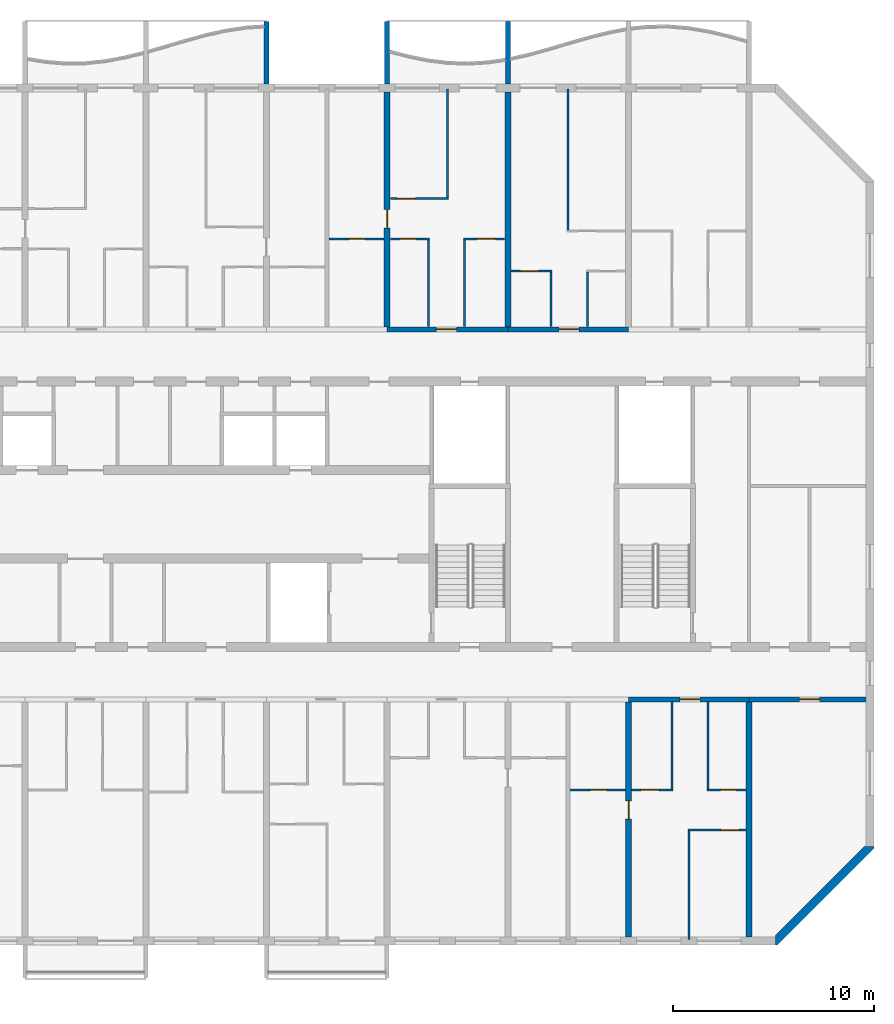
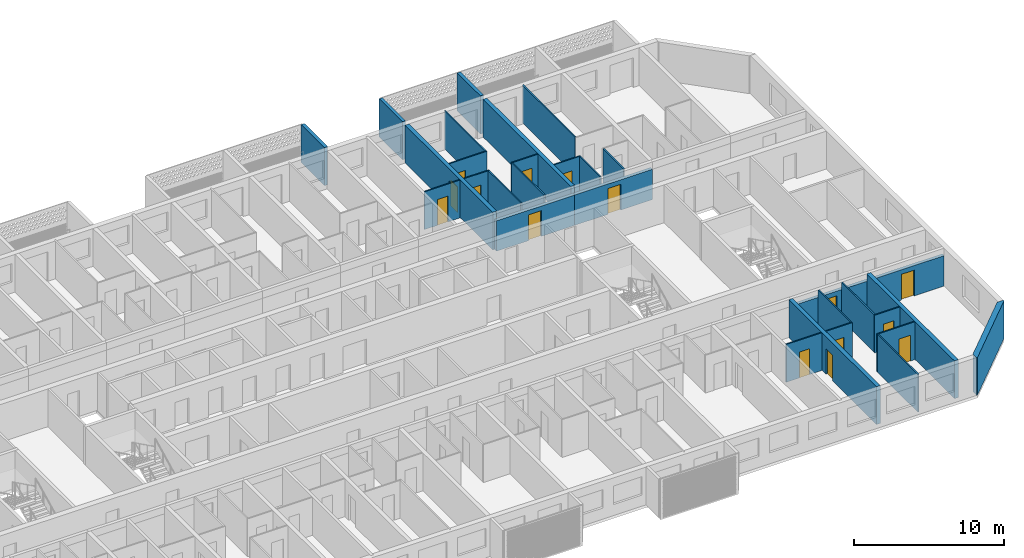
# One storey, part 11 of 31: 30 walls, 15 doors, 15 openings.
"""IFC4 building model written with IfcOpenShell, lengths in metres."""

from ifc_helpers import new_model, si_unit, direction, frame, frame_2d, origin, place, context, subcontext, project, spatial, polyline, rectangle, outline, extrude, source, transform, mapped, material, layer, layer_set, type_object, element, fill, save


model = new_model("IFC4")

# Units and contexts
model_context = context("Model", 3, precision=1e-05, world=origin(), true_north=direction((0.0, 1.0)))
body_context = subcontext(model_context, "Body", "Model", "MODEL_VIEW")
ifc_project = project(units=[si_unit("LENGTHUNIT", "METRE"), si_unit("AREAUNIT", "SQUARE_METRE"), si_unit("VOLUMEUNIT", "CUBIC_METRE"), si_unit("PLANEANGLEUNIT", "RADIAN"), si_unit("MASSUNIT", "GRAM", prefix="KILO")], contexts=[model_context])

# Site, building, storey
site_placement = place(None, origin())
site = spatial("IfcSite", under=ifc_project, at=site_placement, CompositionType="ELEMENT")
building_placement = place(site_placement, origin())
building = spatial("IfcBuilding", under=site, at=building_placement, Name="Poui Terraces", CompositionType="ELEMENT")
storey_placement = place(building_placement, frame((0.0, 0.0, 142.199951171875)))
storey = spatial("IfcBuildingStorey", under=building, at=storey_placement, Name="L39", CompositionType="ELEMENT", Elevation=142.199951171875)

# Wall, opening, door
ifc_material_1 = material(Name="Concrete 65 MPa", Category="concrete")
ifc_layer_1 = layer(ifc_material_1, 0.25)
ifc_layer_set_1 = layer_set([ifc_layer_1], Name="Concrete 65 MPa")
wall_type_1 = type_object("IfcWallType", Name="CORRIDOR WALL 250 65MPa", PredefinedType="SHEAR", material=ifc_layer_set_1)
wall_1_placement = place(storey_placement, frame((78.0, 12.0, 0.0), z_axis=(0.0, 0.0, 1.0), x_axis=(1.0, 0.0, 0.0)))
wall_1 = element("IfcWall", 1, at=wall_1_placement, inside=storey, type_object=wall_type_1, Name="CORRIDOR WALL LINE B BAY 12", PredefinedType="SHEAR", context=body_context, shape_type="SweptSolid", body=[
    extrude(rectangle(XDim=6.0, YDim=0.25, at=frame_2d((3.0, 0.0))), origin(), (0.0, 0.0, 1.0), 2.469970703125),
])
opening_1_placement = place(wall_1_placement, frame((2.550048828125, 0.0, 0.0)))
opening_1 = element("IfcOpeningElement", 2, at=opening_1_placement, cuts=wall_1, Name="Opening FD30S", PredefinedType="OPENING", context=body_context, shape_type="SweptSolid", body=[
    extrude(rectangle(XDim=1.0, YDim=2.10009765625, at=frame_2d((0.5, 1.050048828125))), frame((0.0, 0.135009765625, 0.0), z_axis=(0.0, -1.0, 0.0), x_axis=(1.0, 0.0, 0.0)), (0.0, 0.0, 1.0), 0.27001953125),
])
ifc_material_2 = material(Name="Steel fire door", Category="steel")
door_type_1 = type_object("IfcDoorType", Name="FLAT ENTRANCE DOOR 1000 X 2100", OperationType="NOTDEFINED", PredefinedType="DOOR", material=ifc_material_2)
door_1_placement = place(opening_1_placement, frame((1.0, 0.0, 0.0), z_axis=(0.0, 0.0, 1.0), x_axis=(-1.0, 0.0, 0.0)))
door_1 = element("IfcDoor", 3, at=door_1_placement, inside=storey, type_object=door_type_1, Name="FLAT ENTRANCE DOOR 116", OperationType="SINGLE_SWING_LEFT", OverallHeight=2.10009765625, OverallWidth=1.0, PredefinedType="DOOR", context=body_context, shape_type="SweptSolid", body=[
    extrude(rectangle(XDim=1.0, YDim=2.10009765625, at=frame_2d((0.5, 1.050048828125))), frame((0.0, 0.02490234375, 0.0), z_axis=(0.0, -1.0, 0.0), x_axis=(1.0, 0.0, 0.0)), (0.0, 0.0, 1.0), 0.050048828125),
])
fill(opening_1, door_1)

wall_2_placement = place(storey_placement, frame((84.0, 12.0, 0.0), z_axis=(0.0, 0.0, 1.0), x_axis=(1.0, 0.0, 0.0)))
wall_2 = element("IfcWall", 4, at=wall_2_placement, inside=storey, type_object=wall_type_1, Name="CORRIDOR WALL LINE B BAY 13", PredefinedType="SHEAR", context=body_context, shape_type="SweptSolid", body=[
    extrude(rectangle(XDim=5.800048828125, YDim=0.25, at=frame_2d((2.89990234375, 0.0))), origin(), (0.0, 0.0, 1.0), 2.469970703125),
])
opening_2_placement = place(wall_2_placement, frame((2.5, 0.0, 0.0)))
opening_2 = element("IfcOpeningElement", 5, at=opening_2_placement, cuts=wall_2, Name="Opening D100", PredefinedType="OPENING", context=body_context, shape_type="SweptSolid", body=[
    extrude(rectangle(XDim=1.0, YDim=2.10009765625, at=frame_2d((0.5, 1.050048828125))), frame((0.0, 0.135009765625, 0.0), z_axis=(0.0, -1.0, 0.0), x_axis=(1.0, 0.0, 0.0)), (0.0, 0.0, 1.0), 0.27001953125),
])
ifc_material_3 = material(Name="Solid core timber door", Category="wood")
door_type_2 = type_object("IfcDoorType", Name="ACCESSIBLE INTERNAL DOOR 1000 X 2100", OperationType="NOTDEFINED", PredefinedType="DOOR", material=ifc_material_3)
door_2_placement = place(opening_2_placement, frame((1.0, 0.0, 0.0), z_axis=(0.0, 0.0, 1.0), x_axis=(-1.0, 0.0, 0.0)))
door_2 = element("IfcDoor", 6, at=door_2_placement, inside=storey, type_object=door_type_2, Name="ACCESSIBLE INTERNAL DOOR 119", OperationType="SINGLE_SWING_RIGHT", OverallHeight=2.10009765625, OverallWidth=1.0, PredefinedType="DOOR", context=body_context, shape_type="SweptSolid", body=[
    extrude(rectangle(XDim=1.0, YDim=2.10009765625, at=frame_2d((0.5, 1.050048828125))), frame((0.0, 0.02490234375, 0.0), z_axis=(0.0, -1.0, 0.0), x_axis=(1.0, 0.0, 0.0)), (0.0, 0.0, 1.0), 0.050048828125),
])
fill(opening_2, door_2)

wall_3_placement = place(storey_placement, frame((66.0, 30.39990234375, 0.0), z_axis=(0.0, 0.0, 1.0), x_axis=(1.0, 0.0, 0.0)))
wall_3 = element("IfcWall", 7, at=wall_3_placement, inside=storey, type_object=wall_type_1, Name="CORRIDOR WALL LINE E BAY 10", PredefinedType="SHEAR", context=body_context, shape_type="SweptSolid", body=[
    extrude(rectangle(XDim=6.0, YDim=0.25, at=frame_2d((3.0, 0.0))), origin(), (0.0, 0.0, 1.0), 2.469970703125),
])
opening_3_placement = place(wall_3_placement, frame((2.449951171875, 0.0, 0.0)))
opening_3 = element("IfcOpeningElement", 8, at=opening_3_placement, cuts=wall_3, Name="Opening FD30S", PredefinedType="OPENING", context=body_context, shape_type="SweptSolid", body=[
    extrude(rectangle(XDim=1.0, YDim=2.10009765625, at=frame_2d((0.5, 1.050048828125))), frame((0.0, 0.135009765625, 0.0), z_axis=(0.0, -1.0, 0.0), x_axis=(1.0, 0.0, 0.0)), (0.0, 0.0, 1.0), 0.27001953125),
])
door_3_placement = place(opening_3_placement, origin())
door_3 = element("IfcDoor", 9, at=door_3_placement, inside=storey, type_object=door_type_1, Name="FLAT ENTRANCE DOOR 067", OperationType="SINGLE_SWING_LEFT", OverallHeight=2.10009765625, OverallWidth=1.0, PredefinedType="DOOR", context=body_context, shape_type="SweptSolid", body=[
    extrude(rectangle(XDim=1.0, YDim=2.10009765625, at=frame_2d((0.5, 1.050048828125))), frame((0.0, 0.02490234375, 0.0), z_axis=(0.0, -1.0, 0.0), x_axis=(1.0, 0.0, 0.0)), (0.0, 0.0, 1.0), 0.050048828125),
])
fill(opening_3, door_3)

wall_4_placement = place(storey_placement, frame((72.0, 30.39990234375, 0.0), z_axis=(0.0, 0.0, 1.0), x_axis=(1.0, 0.0, 0.0)))
wall_4 = element("IfcWall", 10, at=wall_4_placement, inside=storey, type_object=wall_type_1, Name="CORRIDOR WALL LINE E BAY 11", PredefinedType="SHEAR", context=body_context, shape_type="SweptSolid", body=[
    extrude(rectangle(XDim=6.0, YDim=0.25, at=frame_2d((3.0, 0.0))), origin(), (0.0, 0.0, 1.0), 2.469970703125),
])
opening_4_placement = place(wall_4_placement, frame((2.550048828125, 0.0, 0.0)))
opening_4 = element("IfcOpeningElement", 11, at=opening_4_placement, cuts=wall_4, Name="Opening FD30S", PredefinedType="OPENING", context=body_context, shape_type="SweptSolid", body=[
    extrude(rectangle(XDim=1.0, YDim=2.10009765625, at=frame_2d((0.5, 1.050048828125))), frame((0.0, 0.135009765625, 0.0), z_axis=(0.0, -1.0, 0.0), x_axis=(1.0, 0.0, 0.0)), (0.0, 0.0, 1.0), 0.27001953125),
])
door_4_placement = place(opening_4_placement, origin())
door_4 = element("IfcDoor", 12, at=door_4_placement, inside=storey, type_object=door_type_1, Name="FLAT ENTRANCE DOOR 070", OperationType="SINGLE_SWING_RIGHT", OverallHeight=2.10009765625, OverallWidth=1.0, PredefinedType="DOOR", context=body_context, shape_type="SweptSolid", body=[
    extrude(rectangle(XDim=1.0, YDim=2.10009765625, at=frame_2d((0.5, 1.050048828125))), frame((0.0, 0.02490234375, 0.0), z_axis=(0.0, -1.0, 0.0), x_axis=(1.0, 0.0, 0.0)), (0.0, 0.0, 1.0), 0.050048828125),
])
fill(opening_4, door_4)

ifc_layer_2 = layer(ifc_material_1, 0.300048828125)
ifc_layer_set_2 = layer_set([ifc_layer_2], Name="Concrete 65 MPa")
wall_type_2 = type_object("IfcWallType", Name="CROSS WALL 300 65MPa", PredefinedType="SHEAR", material=ifc_layer_set_2)
wall_5_placement = place(storey_placement, frame((66.0, 30.52490234375, 0.0), z_axis=(0.0, 0.0, 1.0), x_axis=(0.0, 1.0, 0.0)))
wall_5 = element("IfcWall", 13, at=wall_5_placement, inside=storey, type_object=wall_type_2, Name="CROSS WALL LINE 12 NORTH", PredefinedType="SHEAR", context=body_context, shape_type="SweptSolid", body=[
    extrude(rectangle(XDim=11.675048828125, YDim=0.300048828125, at=frame_2d((5.83740234375, 0.0))), origin(), (0.0, 0.0, 1.0), 3.070068359375),
])
opening_5_placement = place(wall_5_placement, frame((4.925048828125, 0.0, 0.0)))
opening_5 = element("IfcOpeningElement", 14, at=opening_5_placement, cuts=wall_5, Name="Opening D90", PredefinedType="OPENING", context=body_context, shape_type="SweptSolid", body=[
    extrude(rectangle(XDim=0.89990234375, YDim=2.10009765625, at=frame_2d((0.449951171875, 1.050048828125))), frame((0.0, 0.16015625, 0.0), z_axis=(0.0, -1.0, 0.0), x_axis=(1.0, 0.0, 0.0)), (0.0, 0.0, 1.0), 0.320068359375),
])
door_type_3 = type_object("IfcDoorType", Name="INTERNAL DOOR 900 X 2100", OperationType="NOTDEFINED", PredefinedType="DOOR", material=ifc_material_3)
door_5_placement = place(opening_5_placement, origin())
door_5 = element("IfcDoor", 15, at=door_5_placement, inside=storey, type_object=door_type_3, Name="INTERNAL DOOR 064", OperationType="SINGLE_SWING_LEFT", OverallHeight=2.10009765625, OverallWidth=0.89990234375, PredefinedType="DOOR", context=body_context, shape_type="SweptSolid", body=[
    extrude(rectangle(XDim=0.89990234375, YDim=2.10009765625, at=frame_2d((0.449951171875, 1.050048828125))), frame((0.0, 0.02490234375, 0.0), z_axis=(0.0, -1.0, 0.0), x_axis=(1.0, 0.0, 0.0)), (0.0, 0.0, 1.0), 0.050048828125),
])
fill(opening_5, door_5)

# Wall
wall_6_placement = place(storey_placement, frame((72.0, 30.52490234375, 0.0), z_axis=(0.0, 0.0, 1.0), x_axis=(0.0, 1.0, 0.0)))
element("IfcWall", 16, at=wall_6_placement, inside=storey, type_object=wall_type_2, Name="CROSS WALL LINE 13 NORTH", PredefinedType="SHEAR", context=body_context, shape_type="SweptSolid", body=[
    extrude(rectangle(XDim=11.675048828125, YDim=0.300048828125, at=frame_2d((5.83740234375, 0.0))), origin(), (0.0, 0.0, 1.0), 3.070068359375),
])

# Wall, opening, door
wall_7_placement = place(storey_placement, frame((78.0, 0.199951171875, 0.0), z_axis=(0.0, 0.0, 1.0), x_axis=(0.0, 1.0, 0.0)))
wall_7 = element("IfcWall", 17, at=wall_7_placement, inside=storey, type_object=wall_type_2, Name="CROSS WALL LINE 14 SOUTH", PredefinedType="SHEAR", context=body_context, shape_type="SweptSolid", body=[
    extrude(rectangle(XDim=11.675048828125, YDim=0.300048828125, at=frame_2d((5.83740234375, 0.0))), origin(), (0.0, 0.0, 1.0), 3.070068359375),
])
opening_6_placement = place(wall_7_placement, frame((5.85009765625, 0.0, 0.0)))
opening_6 = element("IfcOpeningElement", 18, at=opening_6_placement, cuts=wall_7, Name="Opening D90", PredefinedType="OPENING", context=body_context, shape_type="SweptSolid", body=[
    extrude(rectangle(XDim=0.89990234375, YDim=2.10009765625, at=frame_2d((0.449951171875, 1.050048828125))), frame((0.0, 0.16015625, 0.0), z_axis=(0.0, -1.0, 0.0), x_axis=(1.0, 0.0, 0.0)), (0.0, 0.0, 1.0), 0.320068359375),
])
door_6_placement = place(opening_6_placement, origin())
door_6 = element("IfcDoor", 19, at=door_6_placement, inside=storey, type_object=door_type_3, Name="INTERNAL DOOR 114", OperationType="SINGLE_SWING_RIGHT", OverallHeight=2.10009765625, OverallWidth=0.89990234375, PredefinedType="DOOR", context=body_context, shape_type="SweptSolid", body=[
    extrude(rectangle(XDim=0.89990234375, YDim=2.10009765625, at=frame_2d((0.449951171875, 1.050048828125))), frame((0.0, 0.02490234375, 0.0), z_axis=(0.0, -1.0, 0.0), x_axis=(1.0, 0.0, 0.0)), (0.0, 0.0, 1.0), 0.050048828125),
])
fill(opening_6, door_6)

# Wall
wall_8_placement = place(storey_placement, frame((84.0, 0.199951171875, 0.0), z_axis=(0.0, 0.0, 1.0), x_axis=(0.0, 1.0, 0.0)))
element("IfcWall", 20, at=wall_8_placement, inside=storey, type_object=wall_type_2, Name="CROSS WALL LINE 15 SOUTH", PredefinedType="SHEAR", context=body_context, shape_type="SweptSolid", body=[
    extrude(rectangle(XDim=11.675048828125, YDim=0.300048828125, at=frame_2d((5.83740234375, 0.0))), origin(), (0.0, 0.0, 1.0), 3.070068359375),
])

# Wall, opening, door
ifc_material_4 = material(Name="Plasterboard partition")
ifc_layer_3 = layer(ifc_material_4, 0.10009765625)
ifc_layer_set_3 = layer_set([ifc_layer_3], Name="Plasterboard partition")
wall_type_3 = type_object("IfcWallType", Name="FLAT PARTITION 100", PredefinedType="PARTITIONING", material=ifc_layer_set_3)
wall_9_placement = place(storey_placement, frame((80.949951171875, 5.5, 0.0), z_axis=(0.0, 0.0, 1.0), x_axis=(1.0, 0.0, 0.0)))
wall_9 = element("IfcWall", 21, at=wall_9_placement, inside=storey, type_object=wall_type_3, Name="FLAT PARTITION 100", PredefinedType="PARTITIONING", context=body_context, shape_type="SweptSolid", body=[
    extrude(rectangle(XDim=2.89013671875, YDim=0.10009765625, at=frame_2d((1.445068359375, 0.0))), origin(), (0.0, 0.0, 1.0), 3.070068359375),
])
opening_7_placement = place(wall_9_placement, frame((1.64990234375, 0.0, 0.0)))
opening_7 = element("IfcOpeningElement", 22, at=opening_7_placement, cuts=wall_9, Name="Opening D90", PredefinedType="OPENING", context=body_context, shape_type="SweptSolid", body=[
    extrude(rectangle(XDim=0.89990234375, YDim=2.10009765625, at=frame_2d((0.449951171875, 1.050048828125))), frame((0.0, 0.06005859375, 0.0), z_axis=(0.0, -1.0, 0.0), x_axis=(1.0, 0.0, 0.0)), (0.0, 0.0, 1.0), 0.1201171875),
])
door_7_placement = place(opening_7_placement, frame((0.89990234375, 0.0, 0.0), z_axis=(0.0, 0.0, 1.0), x_axis=(-1.0, 0.0, 0.0)))
door_7 = element("IfcDoor", 23, at=door_7_placement, inside=storey, type_object=door_type_3, Name="INTERNAL DOOR 118", OperationType="SINGLE_SWING_LEFT", OverallHeight=2.10009765625, OverallWidth=0.89990234375, PredefinedType="DOOR", context=body_context, shape_type="SweptSolid", body=[
    extrude(rectangle(XDim=0.89990234375, YDim=2.10009765625, at=frame_2d((0.449951171875, 1.050048828125))), frame((0.0, 0.02490234375, 0.0), z_axis=(0.0, -1.0, 0.0), x_axis=(1.0, 0.0, 0.0)), (0.0, 0.0, 1.0), 0.050048828125),
])
fill(opening_7, door_7)

wall_10_placement = place(storey_placement, frame((75.10009765625, 7.5, 0.0), z_axis=(0.0, 0.0, 1.0), x_axis=(1.0, 0.0, 0.0)))
wall_10 = element("IfcWall", 24, at=wall_10_placement, inside=storey, type_object=wall_type_3, Name="FLAT PARTITION 100", PredefinedType="PARTITIONING", context=body_context, shape_type="SweptSolid", body=[
    extrude(rectangle(XDim=2.739990234375, YDim=0.10009765625, at=frame_2d((1.3701171875, 0.0))), origin(), (0.0, 0.0, 1.0), 3.070068359375),
])
opening_8_placement = place(wall_10_placement, frame((1.0, 0.0, 0.0)))
opening_8 = element("IfcOpeningElement", 25, at=opening_8_placement, cuts=wall_10, Name="Opening D80", PredefinedType="OPENING", context=body_context, shape_type="SweptSolid", body=[
    extrude(rectangle(XDim=0.800048828125, YDim=2.10009765625, at=frame_2d((0.39990234375, 1.050048828125))), frame((0.0, 0.06005859375, 0.0), z_axis=(0.0, -1.0, 0.0), x_axis=(1.0, 0.0, 0.0)), (0.0, 0.0, 1.0), 0.1201171875),
])
door_type_4 = type_object("IfcDoorType", Name="BATHROOM, LAUNDRY AND STORE DOOR 800 X 2100", OperationType="NOTDEFINED", PredefinedType="DOOR", material=ifc_material_3)
door_8_placement = place(opening_8_placement, origin())
door_8 = element("IfcDoor", 26, at=door_8_placement, inside=storey, type_object=door_type_4, Name="BATHROOM, LAUNDRY AND STORE DOOR 113", OperationType="SINGLE_SWING_LEFT", OverallHeight=2.10009765625, OverallWidth=0.800048828125, PredefinedType="DOOR", context=body_context, shape_type="SweptSolid", body=[
    extrude(rectangle(XDim=0.800048828125, YDim=2.10009765625, at=frame_2d((0.39990234375, 1.050048828125))), frame((0.0, 0.02490234375, 0.0), z_axis=(0.0, -1.0, 0.0), x_axis=(1.0, 0.0, 0.0)), (0.0, 0.0, 1.0), 0.050048828125),
])
fill(opening_8, door_8)

wall_11_placement = place(storey_placement, frame((78.159912109375, 7.5, 0.0), z_axis=(0.0, 0.0, 1.0), x_axis=(1.0, 0.0, 0.0)))
wall_11 = element("IfcWall", 27, at=wall_11_placement, inside=storey, type_object=wall_type_3, Name="FLAT PARTITION 100", PredefinedType="PARTITIONING", context=body_context, shape_type="SweptSolid", body=[
    extrude(rectangle(XDim=2.0400390625, YDim=0.10009765625, at=frame_2d((1.02001953125, 0.0))), origin(), (0.0, 0.0, 1.0), 3.070068359375),
])
opening_9_placement = place(wall_11_placement, frame((0.465087890625, 0.0, 0.0)))
opening_9 = element("IfcOpeningElement", 28, at=opening_9_placement, cuts=wall_11, Name="Opening D90", PredefinedType="OPENING", context=body_context, shape_type="SweptSolid", body=[
    extrude(rectangle(XDim=0.89990234375, YDim=2.10009765625, at=frame_2d((0.449951171875, 1.050048828125))), frame((0.0, 0.06005859375, 0.0), z_axis=(0.0, -1.0, 0.0), x_axis=(1.0, 0.0, 0.0)), (0.0, 0.0, 1.0), 0.1201171875),
])
door_9_placement = place(opening_9_placement, origin())
door_9 = element("IfcDoor", 29, at=door_9_placement, inside=storey, type_object=door_type_3, Name="INTERNAL DOOR 115", OperationType="SINGLE_SWING_LEFT", OverallHeight=2.10009765625, OverallWidth=0.89990234375, PredefinedType="DOOR", context=body_context, shape_type="SweptSolid", body=[
    extrude(rectangle(XDim=0.89990234375, YDim=2.10009765625, at=frame_2d((0.449951171875, 1.050048828125))), frame((0.0, 0.02490234375, 0.0), z_axis=(0.0, -1.0, 0.0), x_axis=(1.0, 0.0, 0.0)), (0.0, 0.0, 1.0), 0.050048828125),
])
fill(opening_9, door_9)

wall_12_placement = place(storey_placement, frame((81.89990234375, 7.5, 0.0), z_axis=(0.0, 0.0, 1.0), x_axis=(1.0, 0.0, 0.0)))
wall_12 = element("IfcWall", 30, at=wall_12_placement, inside=storey, type_object=wall_type_3, Name="FLAT PARTITION 100", PredefinedType="PARTITIONING", context=body_context, shape_type="SweptSolid", body=[
    extrude(rectangle(XDim=1.940185546875, YDim=0.10009765625, at=frame_2d((0.97021484375, 0.0))), origin(), (0.0, 0.0, 1.0), 3.070068359375),
])
opening_10_placement = place(wall_12_placement, frame((0.675048828125, 0.0, 0.0)))
opening_10 = element("IfcOpeningElement", 31, at=opening_10_placement, cuts=wall_12, Name="Opening D80", PredefinedType="OPENING", context=body_context, shape_type="SweptSolid", body=[
    extrude(rectangle(XDim=0.800048828125, YDim=2.10009765625, at=frame_2d((0.39990234375, 1.050048828125))), frame((0.0, 0.06005859375, 0.0), z_axis=(0.0, -1.0, 0.0), x_axis=(1.0, 0.0, 0.0)), (0.0, 0.0, 1.0), 0.1201171875),
])
door_10_placement = place(opening_10_placement, origin())
door_10 = element("IfcDoor", 32, at=door_10_placement, inside=storey, type_object=door_type_4, Name="BATHROOM, LAUNDRY AND STORE DOOR 117", OperationType="SINGLE_SWING_RIGHT", OverallHeight=2.10009765625, OverallWidth=0.800048828125, PredefinedType="DOOR", context=body_context, shape_type="SweptSolid", body=[
    extrude(rectangle(XDim=0.800048828125, YDim=2.10009765625, at=frame_2d((0.39990234375, 1.050048828125))), frame((0.0, 0.02490234375, 0.0), z_axis=(0.0, -1.0, 0.0), x_axis=(1.0, 0.0, 0.0)), (0.0, 0.0, 1.0), 0.050048828125),
])
fill(opening_10, door_10)

wall_13_placement = place(storey_placement, frame((72.159912109375, 33.300048828125, 0.0), z_axis=(0.0, 0.0, 1.0), x_axis=(1.0, 0.0, 0.0)))
wall_13 = element("IfcWall", 33, at=wall_13_placement, inside=storey, type_object=wall_type_3, Name="FLAT PARTITION 100", PredefinedType="PARTITIONING", context=body_context, shape_type="SweptSolid", body=[
    extrude(rectangle(XDim=2.0400390625, YDim=0.10009765625, at=frame_2d((1.02001953125, 0.0))), origin(), (0.0, 0.0, 1.0), 3.070068359375),
])
opening_11_placement = place(wall_13_placement, frame((0.465087890625, 0.0, 0.0)))
opening_11 = element("IfcOpeningElement", 34, at=opening_11_placement, cuts=wall_13, Name="Opening D90", PredefinedType="OPENING", context=body_context, shape_type="SweptSolid", body=[
    extrude(rectangle(XDim=0.89990234375, YDim=2.10009765625, at=frame_2d((0.449951171875, 1.050048828125))), frame((0.0, 0.06005859375, 0.0), z_axis=(0.0, -1.0, 0.0), x_axis=(1.0, 0.0, 0.0)), (0.0, 0.0, 1.0), 0.1201171875),
])
door_11_placement = place(opening_11_placement, frame((0.89990234375, 0.0, 0.0), z_axis=(0.0, 0.0, 1.0), x_axis=(-1.0, 0.0, 0.0)))
door_11 = element("IfcDoor", 35, at=door_11_placement, inside=storey, type_object=door_type_3, Name="INTERNAL DOOR 069", OperationType="SINGLE_SWING_LEFT", OverallHeight=2.10009765625, OverallWidth=0.89990234375, PredefinedType="DOOR", context=body_context, shape_type="SweptSolid", body=[
    extrude(rectangle(XDim=0.89990234375, YDim=2.10009765625, at=frame_2d((0.449951171875, 1.050048828125))), frame((0.0, 0.02490234375, 0.0), z_axis=(0.0, -1.0, 0.0), x_axis=(1.0, 0.0, 0.0)), (0.0, 0.0, 1.0), 0.050048828125),
])
fill(opening_11, door_11)

wall_14_placement = place(storey_placement, frame((63.10009765625, 34.89990234375, 0.0), z_axis=(0.0, 0.0, 1.0), x_axis=(1.0, 0.0, 0.0)))
wall_14 = element("IfcWall", 36, at=wall_14_placement, inside=storey, type_object=wall_type_3, Name="FLAT PARTITION 100", PredefinedType="PARTITIONING", context=body_context, shape_type="SweptSolid", body=[
    extrude(rectangle(XDim=2.739990234375, YDim=0.10009765625, at=frame_2d((1.3701171875, 0.0))), origin(), (0.0, 0.0, 1.0), 3.070068359375),
])
opening_12_placement = place(wall_14_placement, frame((1.0, 0.0, 0.0)))
opening_12 = element("IfcOpeningElement", 37, at=opening_12_placement, cuts=wall_14, Name="Opening D80", PredefinedType="OPENING", context=body_context, shape_type="SweptSolid", body=[
    extrude(rectangle(XDim=0.800048828125, YDim=2.10009765625, at=frame_2d((0.39990234375, 1.050048828125))), frame((0.0, 0.06005859375, 0.0), z_axis=(0.0, -1.0, 0.0), x_axis=(1.0, 0.0, 0.0)), (0.0, 0.0, 1.0), 0.1201171875),
])
door_12_placement = place(opening_12_placement, frame((0.800048828125, 0.0, 0.0), z_axis=(0.0, 0.0, 1.0), x_axis=(-1.0, 0.0, 0.0)))
door_12 = element("IfcDoor", 38, at=door_12_placement, inside=storey, type_object=door_type_4, Name="BATHROOM, LAUNDRY AND STORE DOOR 063", OperationType="SINGLE_SWING_RIGHT", OverallHeight=2.10009765625, OverallWidth=0.800048828125, PredefinedType="DOOR", context=body_context, shape_type="SweptSolid", body=[
    extrude(rectangle(XDim=0.800048828125, YDim=2.10009765625, at=frame_2d((0.39990234375, 1.050048828125))), frame((0.0, 0.02490234375, 0.0), z_axis=(0.0, -1.0, 0.0), x_axis=(1.0, 0.0, 0.0)), (0.0, 0.0, 1.0), 0.050048828125),
])
fill(opening_12, door_12)

wall_15_placement = place(storey_placement, frame((66.159912109375, 34.89990234375, 0.0), z_axis=(0.0, 0.0, 1.0), x_axis=(1.0, 0.0, 0.0)))
wall_15 = element("IfcWall", 39, at=wall_15_placement, inside=storey, type_object=wall_type_3, Name="FLAT PARTITION 100", PredefinedType="PARTITIONING", context=body_context, shape_type="SweptSolid", body=[
    extrude(rectangle(XDim=1.940185546875, YDim=0.10009765625, at=frame_2d((0.97021484375, 0.0))), origin(), (0.0, 0.0, 1.0), 3.070068359375),
])
opening_13_placement = place(wall_15_placement, frame((0.465087890625, 0.0, 0.0)))
opening_13 = element("IfcOpeningElement", 40, at=opening_13_placement, cuts=wall_15, Name="Opening D80", PredefinedType="OPENING", context=body_context, shape_type="SweptSolid", body=[
    extrude(rectangle(XDim=0.800048828125, YDim=2.10009765625, at=frame_2d((0.39990234375, 1.050048828125))), frame((0.0, 0.06005859375, 0.0), z_axis=(0.0, -1.0, 0.0), x_axis=(1.0, 0.0, 0.0)), (0.0, 0.0, 1.0), 0.1201171875),
])
door_13_placement = place(opening_13_placement, frame((0.800048828125, 0.0, 0.0), z_axis=(0.0, 0.0, 1.0), x_axis=(-1.0, 0.0, 0.0)))
door_13 = element("IfcDoor", 41, at=door_13_placement, inside=storey, type_object=door_type_4, Name="BATHROOM, LAUNDRY AND STORE DOOR 066", OperationType="SINGLE_SWING_RIGHT", OverallHeight=2.10009765625, OverallWidth=0.800048828125, PredefinedType="DOOR", context=body_context, shape_type="SweptSolid", body=[
    extrude(rectangle(XDim=0.800048828125, YDim=2.10009765625, at=frame_2d((0.39990234375, 1.050048828125))), frame((0.0, 0.02490234375, 0.0), z_axis=(0.0, -1.0, 0.0), x_axis=(1.0, 0.0, 0.0)), (0.0, 0.0, 1.0), 0.050048828125),
])
fill(opening_13, door_13)

wall_16_placement = place(storey_placement, frame((69.800048828125, 34.89990234375, 0.0), z_axis=(0.0, 0.0, 1.0), x_axis=(1.0, 0.0, 0.0)))
wall_16 = element("IfcWall", 42, at=wall_16_placement, inside=storey, type_object=wall_type_3, Name="FLAT PARTITION 100", PredefinedType="PARTITIONING", context=body_context, shape_type="SweptSolid", body=[
    extrude(rectangle(XDim=2.0400390625, YDim=0.10009765625, at=frame_2d((1.02001953125, 0.0))), origin(), (0.0, 0.0, 1.0), 3.070068359375),
])
opening_14_placement = place(wall_16_placement, frame((0.675048828125, 0.0, 0.0)))
opening_14 = element("IfcOpeningElement", 43, at=opening_14_placement, cuts=wall_16, Name="Opening D90", PredefinedType="OPENING", context=body_context, shape_type="SweptSolid", body=[
    extrude(rectangle(XDim=0.89990234375, YDim=2.10009765625, at=frame_2d((0.449951171875, 1.050048828125))), frame((0.0, 0.06005859375, 0.0), z_axis=(0.0, -1.0, 0.0), x_axis=(1.0, 0.0, 0.0)), (0.0, 0.0, 1.0), 0.1201171875),
])
door_14_placement = place(opening_14_placement, frame((0.89990234375, 0.0, 0.0), z_axis=(0.0, 0.0, 1.0), x_axis=(-1.0, 0.0, 0.0)))
door_14 = element("IfcDoor", 44, at=door_14_placement, inside=storey, type_object=door_type_3, Name="INTERNAL DOOR 068", OperationType="SINGLE_SWING_LEFT", OverallHeight=2.10009765625, OverallWidth=0.89990234375, PredefinedType="DOOR", context=body_context, shape_type="SweptSolid", body=[
    extrude(rectangle(XDim=0.89990234375, YDim=2.10009765625, at=frame_2d((0.449951171875, 1.050048828125))), frame((0.0, 0.02490234375, 0.0), z_axis=(0.0, -1.0, 0.0), x_axis=(1.0, 0.0, 0.0)), (0.0, 0.0, 1.0), 0.050048828125),
])
fill(opening_14, door_14)

wall_17_placement = place(storey_placement, frame((66.159912109375, 36.89990234375, 0.0), z_axis=(0.0, 0.0, 1.0), x_axis=(1.0, 0.0, 0.0)))
wall_17 = element("IfcWall", 45, at=wall_17_placement, inside=storey, type_object=wall_type_3, Name="FLAT PARTITION 100", PredefinedType="PARTITIONING", context=body_context, shape_type="SweptSolid", body=[
    extrude(rectangle(XDim=2.89013671875, YDim=0.10009765625, at=frame_2d((1.445068359375, 0.0))), origin(), (0.0, 0.0, 1.0), 3.070068359375),
])
opening_15_placement = place(wall_17_placement, frame((0.340087890625, 0.0, 0.0)))
opening_15 = element("IfcOpeningElement", 46, at=opening_15_placement, cuts=wall_17, Name="Opening D90", PredefinedType="OPENING", context=body_context, shape_type="SweptSolid", body=[
    extrude(rectangle(XDim=0.89990234375, YDim=2.10009765625, at=frame_2d((0.449951171875, 1.050048828125))), frame((0.0, 0.06005859375, 0.0), z_axis=(0.0, -1.0, 0.0), x_axis=(1.0, 0.0, 0.0)), (0.0, 0.0, 1.0), 0.1201171875),
])
door_15_placement = place(opening_15_placement, origin())
door_15 = element("IfcDoor", 47, at=door_15_placement, inside=storey, type_object=door_type_3, Name="INTERNAL DOOR 065", OperationType="SINGLE_SWING_LEFT", OverallHeight=2.10009765625, OverallWidth=0.89990234375, PredefinedType="DOOR", context=body_context, shape_type="SweptSolid", body=[
    extrude(rectangle(XDim=0.89990234375, YDim=2.10009765625, at=frame_2d((0.449951171875, 1.050048828125))), frame((0.0, 0.02490234375, 0.0), z_axis=(0.0, -1.0, 0.0), x_axis=(1.0, 0.0, 0.0)), (0.0, 0.0, 1.0), 0.050048828125),
])
fill(opening_15, door_15)

# Walls
wall_18_placement = place(storey_placement, frame((68.050048828125, 30.534912109375, 0.0), z_axis=(0.0, 0.0, 1.0), x_axis=(0.0, 1.0, 0.0)))
element("IfcWall", 48, at=wall_18_placement, inside=storey, type_object=wall_type_3, Name="FLAT PARTITION 100", PredefinedType="PARTITIONING", context=body_context, shape_type="SweptSolid", body=[
    extrude(rectangle(XDim=4.315185546875, YDim=0.10009765625, at=frame_2d((2.15771484375, 0.0))), origin(), (0.0, 0.0, 1.0), 3.070068359375),
])
wall_19_placement = place(storey_placement, frame((69.0, 36.949951171875, 0.0), z_axis=(0.0, 0.0, 1.0), x_axis=(0.0, 1.0, 0.0)))
element("IfcWall", 49, at=wall_19_placement, inside=storey, type_object=wall_type_3, Name="FLAT PARTITION 100", PredefinedType="PARTITIONING", context=body_context, shape_type="SweptSolid", body=[
    extrude(rectangle(XDim=5.39013671875, YDim=0.10009765625, at=frame_2d((2.695068359375, 0.0))), origin(), (0.0, 0.0, 1.0), 3.070068359375),
])
wall_20_placement = place(storey_placement, frame((69.85009765625, 30.534912109375, 0.0), z_axis=(0.0, 0.0, 1.0), x_axis=(0.0, 1.0, 0.0)))
element("IfcWall", 50, at=wall_20_placement, inside=storey, type_object=wall_type_3, Name="FLAT PARTITION 100", PredefinedType="PARTITIONING", context=body_context, shape_type="SweptSolid", body=[
    extrude(rectangle(XDim=4.315185546875, YDim=0.10009765625, at=frame_2d((2.15771484375, 0.0))), origin(), (0.0, 0.0, 1.0), 3.070068359375),
])
wall_21_placement = place(storey_placement, frame((74.14990234375, 30.534912109375, 0.0), z_axis=(0.0, 0.0, 1.0), x_axis=(0.0, 1.0, 0.0)))
element("IfcWall", 51, at=wall_21_placement, inside=storey, type_object=wall_type_3, Name="FLAT PARTITION 100", PredefinedType="PARTITIONING", context=body_context, shape_type="SweptSolid", body=[
    extrude(rectangle(XDim=2.715087890625, YDim=0.10009765625, at=frame_2d((1.357421875, 0.0))), origin(), (0.0, 0.0, 1.0), 3.070068359375),
])
wall_22_placement = place(storey_placement, frame((75.0, 35.35009765625, 0.0), z_axis=(0.0, 0.0, 1.0), x_axis=(0.0, 1.0, 0.0)))
element("IfcWall", 52, at=wall_22_placement, inside=storey, type_object=wall_type_3, Name="FLAT PARTITION 100", PredefinedType="PARTITIONING", context=body_context, shape_type="SweptSolid", body=[
    extrude(rectangle(XDim=6.989990234375, YDim=0.10009765625, at=frame_2d((3.4951171875, 0.0))), origin(), (0.0, 0.0, 1.0), 3.070068359375),
])
wall_23_placement = place(storey_placement, frame((75.949951171875, 30.534912109375, 0.0), z_axis=(0.0, 0.0, 1.0), x_axis=(0.0, 1.0, 0.0)))
element("IfcWall", 53, at=wall_23_placement, inside=storey, type_object=wall_type_3, Name="FLAT PARTITION 100", PredefinedType="PARTITIONING", context=body_context, shape_type="SweptSolid", body=[
    extrude(rectangle(XDim=2.715087890625, YDim=0.10009765625, at=frame_2d((1.357421875, 0.0))), origin(), (0.0, 0.0, 1.0), 3.070068359375),
])
wall_24_placement = place(storey_placement, frame((80.14990234375, 7.550048828125, 0.0), z_axis=(0.0, 0.0, 1.0), x_axis=(0.0, 1.0, 0.0)))
element("IfcWall", 54, at=wall_24_placement, inside=storey, type_object=wall_type_3, Name="FLAT PARTITION 100", PredefinedType="PARTITIONING", context=body_context, shape_type="SweptSolid", body=[
    extrude(rectangle(XDim=4.31494140625, YDim=0.10009765625, at=frame_2d((2.157470703125, 0.0))), origin(), (0.0, 0.0, 1.0), 3.070068359375),
])
wall_25_placement = place(storey_placement, frame((81.0, 0.06005859375, 0.0), z_axis=(0.0, 0.0, 1.0), x_axis=(0.0, 1.0, 0.0)))
element("IfcWall", 55, at=wall_25_placement, inside=storey, type_object=wall_type_3, Name="FLAT PARTITION 100", PredefinedType="PARTITIONING", context=body_context, shape_type="SweptSolid", body=[
    extrude(rectangle(XDim=5.389892578125, YDim=0.10009765625, at=frame_2d((2.69482421875, 0.0))), origin(), (0.0, 0.0, 1.0), 3.070068359375),
])
wall_26_placement = place(storey_placement, frame((81.949951171875, 7.550048828125, 0.0), z_axis=(0.0, 0.0, 1.0), x_axis=(0.0, 1.0, 0.0)))
element("IfcWall", 56, at=wall_26_placement, inside=storey, type_object=wall_type_3, Name="FLAT PARTITION 100", PredefinedType="PARTITIONING", context=body_context, shape_type="SweptSolid", body=[
    extrude(rectangle(XDim=4.31494140625, YDim=0.10009765625, at=frame_2d((2.157470703125, 0.0))), origin(), (0.0, 0.0, 1.0), 3.070068359375),
])
ifc_material_5 = material(Name="Precast concrete 40 MPa", Category="concrete")
ifc_layer_4 = layer(ifc_material_5, 0.39990234375)
ifc_layer_set_4 = layer_set([ifc_layer_4], Name="Precast concrete 40 MPa")
wall_type_4 = type_object("IfcWallType", Name="TERRACOTTA CLAD CHAMFER WALL 400", PredefinedType="STANDARD", material=ifc_layer_set_4)
wall_27_placement = place(storey_placement, origin())
element("IfcWall", 57, at=wall_27_placement, inside=storey, type_object=wall_type_4, Name="CHAMFER WALL CH01", PredefinedType="STANDARD", context=body_context, shape_type="SweptSolid", body=[
    extrude(outline(polyline([(85.317138671875, -0.199951171875), (85.39990234375, -0.199951171875), (90.199951171875, 4.60009765625), (90.199951171875, 4.682861328125), (89.71728515625, 4.682861328125), (85.317138671875, 0.28271484375), (85.317138671875, -0.199951171875)])), origin(), (0.0, 0.0, 1.0), 3.070068359375),
])
ifc_layer_5 = layer(ifc_material_5, 0.25)
ifc_layer_set_5 = layer_set([ifc_layer_5], Name="Precast concrete 40 MPa")
wall_type_5 = type_object("IfcWallType", Name="BALCONY FIN 250", PredefinedType="STANDARD", material=ifc_layer_set_5)
shared_shape = source(origin(), body_context, "Body", "SweptSolid", [
    extrude(outline(polyline([(0.0, 0.0), (0.25, 0.0), (0.25, 3.099853515625), (0.0, 3.099853515625), (0.0, 0.0)])), origin(), (0.0, 0.0, 1.0), 3.10009765625),
])
for number, where, name in (
    (58, (59.875, 42.60009765625, 0.0), "BALCONY FIN"),
    (59, (65.875, 42.60009765625, 0.0), "BALCONY FIN"),
    (60, (71.875, 42.60009765625, 0.0), "BALCONY FIN"),
):
    element("IfcWall", number, at=place(storey_placement, frame(where)), inside=storey, type_object=wall_type_5, Name=name, PredefinedType="STANDARD", context=body_context, shape_type="MappedRepresentation", body=[
        mapped(shared_shape, transform((0.0, 0.0, 0.0))),
    ])

save(model, "model.ifc")
